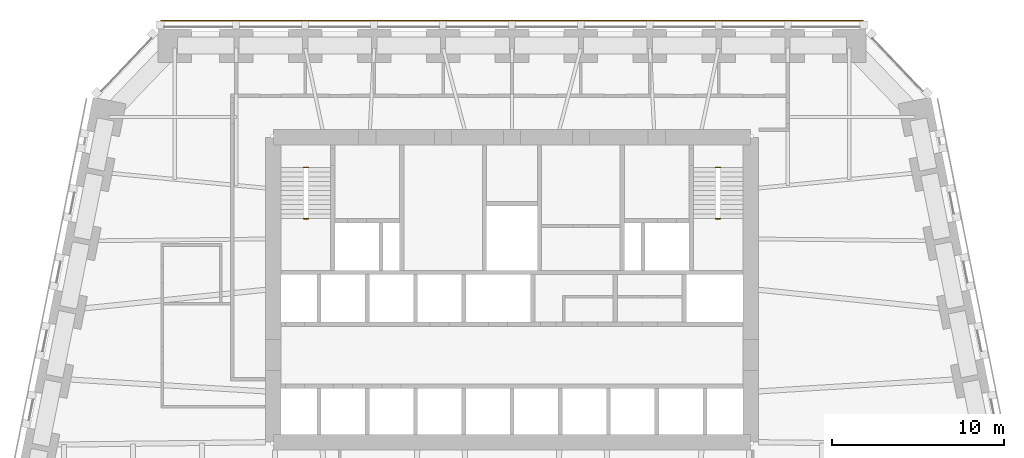
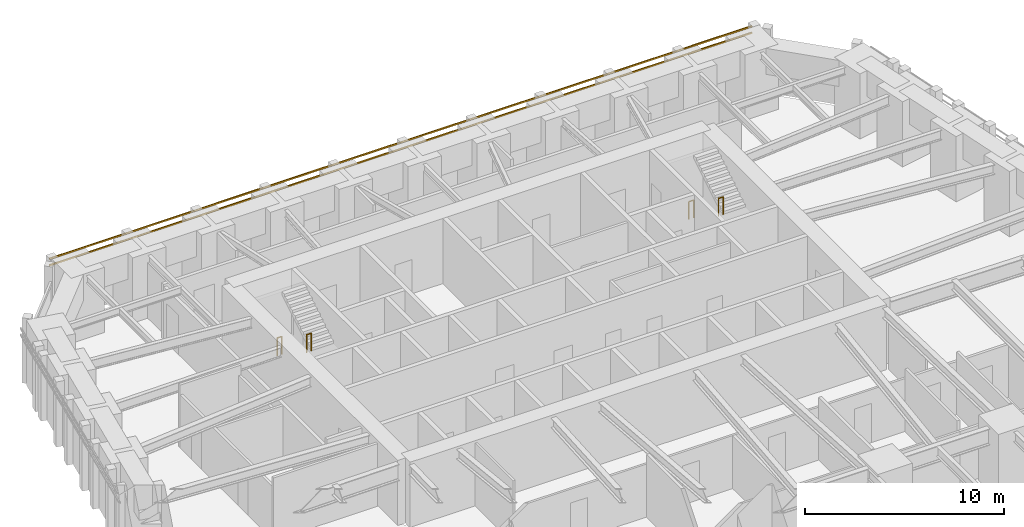
# One storey, part 16 of 16: 4 railings, 2 shading devices.
"""IFC4 building model written with IfcOpenShell, lengths in metres."""

from ifc_helpers import new_model, si_unit, direction, frame, origin, origin_2d, place, context, subcontext, project, spatial, rectangle, circle, extrude, material, material_profile, profile_set, type_object, element, save


model = new_model("IFC4")

# Units and contexts
model_context = context("Model", 3, precision=1e-05, world=origin(), true_north=direction((0.0, 1.0)))
body_context = subcontext(model_context, "Body", "Model", "MODEL_VIEW")
ifc_project = project(units=[si_unit("LENGTHUNIT", "METRE"), si_unit("AREAUNIT", "SQUARE_METRE"), si_unit("VOLUMEUNIT", "CUBIC_METRE"), si_unit("PLANEANGLEUNIT", "RADIAN"), si_unit("MASSUNIT", "GRAM", prefix="KILO")], contexts=[model_context])

# Site, building, storey
site_placement = place(None, origin())
site = spatial("IfcSite", under=ifc_project, at=site_placement, CompositionType="ELEMENT")
building_placement = place(site_placement, origin())
building = spatial("IfcBuilding", under=site, at=building_placement, Name="Isbrekke Arena Tower", CompositionType="ELEMENT")
storey_placement = place(building_placement, frame((0.0, 0.0, 32.0)))
storey = spatial("IfcBuildingStorey", under=building, at=storey_placement, Name="L05", CompositionType="ELEMENT", Elevation=32.0)

# Shading devices
ifc_material_1 = material(Name="Terracotta", Category="masonry")
ifc_material_profile = material_profile(ifc_material_1, rectangle(XDim=0.06005859375, YDim=0.06005859375, at=origin_2d()), Name="BAGUETTE 60X60")
ifc_profile_set = profile_set([ifc_material_profile], Name="Terracotta")
shading_device_type = type_object("IfcShadingDeviceType", Name="BG1 TERRACOTTA BAGUETTE 60 x 60", PredefinedType="USERDEFINED", material=ifc_profile_set)
for number, where, z_axis, x_axis, name in (
    (1, (20.39990234375, 30.6298828125, 3.280029296875), (-1.0, 0.0, 0.0), (0.0, -1.0, 0.0), "BG1 terracotta baguette N1 L05"),
    (2, (20.39990234375, 30.6298828125, 3.679931640625), (-1.0, 0.0, 0.0), (0.0, -1.0, 0.0), "BG1 terracotta baguette N2 L05"),
):
    element("IfcShadingDevice", number, at=place(storey_placement, frame(where, z_axis=z_axis, x_axis=x_axis)), inside=storey, type_object=shading_device_type, Name=name, ObjectType="TERRACOTTA BAGUETTE", PredefinedType="USERDEFINED", context=body_context, shape_type="SweptSolid", body=[
        extrude(rectangle(XDim=0.06005859375, YDim=0.06005859375, at=origin_2d()), origin(), (0.0, 0.0, 1.0), 40.7998046875),
    ])

# Railings
ifc_material_2 = material(Name="Steel stair guard, vertical bars, steel handrail", Category="steel")
railing_type = type_object("IfcRailingType", Name="GR3 STAIR WELL GUARD 1100", PredefinedType="GUARDRAIL", material=ifc_material_2)
for number, where, name in (
    (3, (-12.10009765625, 22.10009765625, 0.0), "GR3 stair well guard ST1 L05"),
    (4, (-12.10009765625, 19.1298828125, 2.0), "GR3 stair well guard ST1 L05"),
    (5, (11.824951171875, 22.10009765625, 0.0), "GR3 stair well guard ST2 L05"),
    (6, (11.824951171875, 19.1298828125, 2.0), "GR3 stair well guard ST2 L05"),
):
    element("IfcRailing", number, at=place(storey_placement, frame(where)), inside=storey, type_object=railing_type, Name=name, PredefinedType="GUARDRAIL", context=body_context, shape_type="SweptSolid", body=[
        extrude(circle(Radius=0.02392578125, at=origin_2d()), frame((0.0, 0.0, 1.076171875), z_axis=(1.0, 0.0, 0.0), x_axis=(0.0, 1.0, 0.0)), (0.0, 0.0, 1.0), 0.275146484375),
        extrude(circle(Radius=0.02099609375, at=origin_2d()), origin(), (0.0, 0.0, 1.0), 1.052001953125),
        extrude(circle(Radius=0.02099609375, at=origin_2d()), frame((0.275146484375, 0.0, 0.0)), (0.0, 0.0, 1.0), 1.052001953125),
    ])

save(model, "model.ifc")
